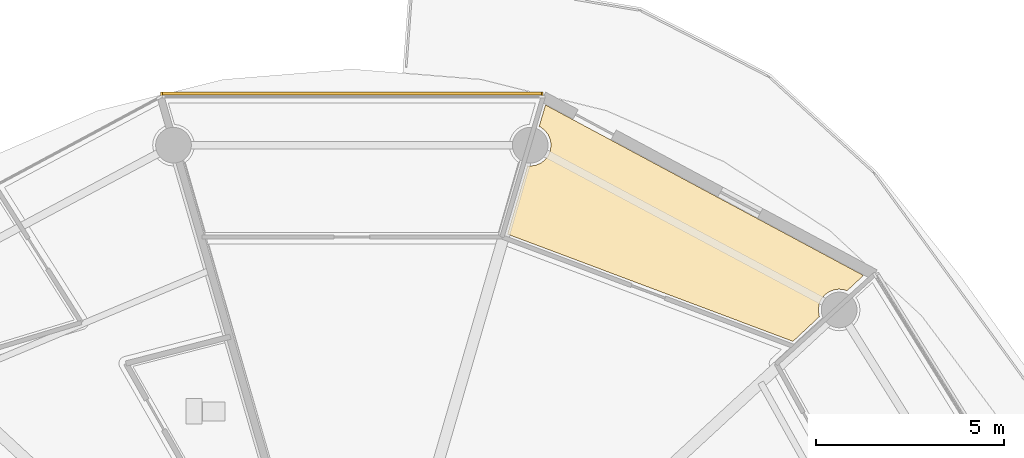
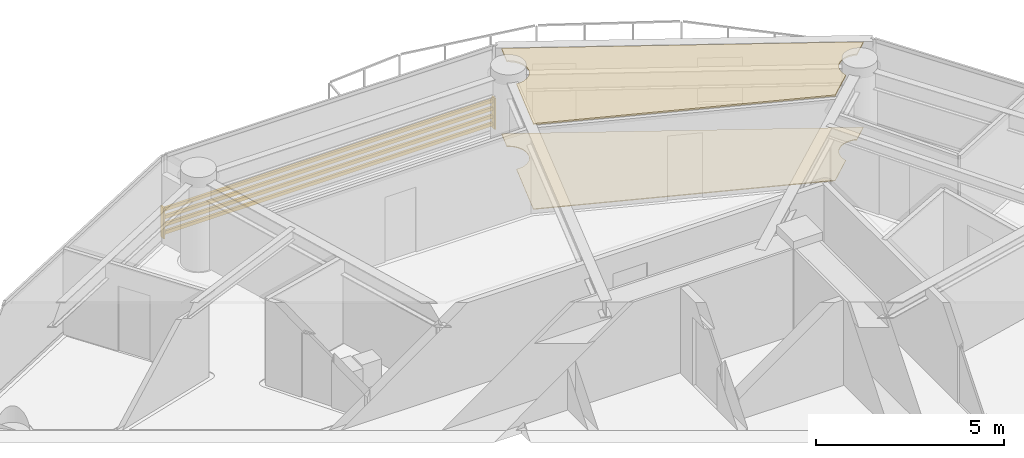
# One storey, part 30 of 31: 2 coverings, 1 shading device.
"""IFC4 building model written with IfcOpenShell, lengths in metres."""

import ifcopenshell
import ifcopenshell.guid

model = None  # the IFC model being written
_history = None  # IfcOwnerHistory: only IFC2X3 demands one
_inside = {}  # id of a spatial element -> (the spatial element, [elements in it])
_under = {}  # id of a project, library or spatial element -> (it, [spatial elements below it])
_declared = {}  # id of a project -> (the project, [libraries it declares])
_typed = {}  # id of a type object -> (the type object, [elements of that type])
_made_of = {}  # id of a material, layer set ... -> (it, [elements and type objects made of it])


def new_model(schema):
    """Start an empty IFC model of exactly this schema.

    Asked for "IFC4X3", IfcOpenShell would pick the latest addendum, in which some entities
    have other attributes; the version numbers below select the first issue.
    IFC2X3 requires an IfcOwnerHistory on every rooted entity: one is made here for all.
    """
    global model, _history
    if schema == "IFC4X3":
        model = ifcopenshell.file(schema_version=(4, 3, 0, 0))
    else:
        model = ifcopenshell.file(schema=schema)
    _inside.clear()
    _under.clear()
    _declared.clear()
    _typed.clear()
    _made_of.clear()
    _history = None
    if model.schema == "IFC2X3":
        org = make("IfcOrganization", Name="unknown")
        user = make(
            "IfcPersonAndOrganization",
            ThePerson=make("IfcPerson", FamilyName="unknown"),
            TheOrganization=org,
        )
        app = make(
            "IfcApplication",
            ApplicationDeveloper=org,
            Version="unknown",
            ApplicationFullName="unknown",
            ApplicationIdentifier="unknown",
        )
        _history = make(
            "IfcOwnerHistory",
            OwningUser=user,
            OwningApplication=app,
            ChangeAction="ADDED",
            CreationDate=0,
        )
    return model


def make(cls, **values):
    """One entity of the class cls with the attributes given. An attribute that is None is left unset."""
    return model.create_entity(
        cls, **{name: value for name, value in values.items() if value is not None}
    )


def rooted(cls, **values):
    """An entity with a GlobalId (a new one), such as an element, a storey or a relation."""
    return make(cls, GlobalId=ifcopenshell.guid.new(), OwnerHistory=_history, **values)


def si_unit(unit_type, name, prefix=None):
    """IfcSIUnit, for example si_unit("LENGTHUNIT", "METRE", prefix="MILLI")."""
    return make("IfcSIUnit", UnitType=unit_type, Prefix=prefix, Name=name)


def assignment(units):
    """IfcUnitAssignment: the units of a project."""
    return None if units is None else make("IfcUnitAssignment", Units=units)


def point(xyz):
    """IfcCartesianPoint."""
    return None if xyz is None else make("IfcCartesianPoint", Coordinates=xyz)


def direction(xyz):
    """IfcDirection."""
    return None if xyz is None else make("IfcDirection", DirectionRatios=xyz)


def frame(location, z_axis=None, x_axis=None):
    """IfcAxis2Placement3D, a coordinate frame: its origin and axes. An axis left out is left unset."""
    return make(
        "IfcAxis2Placement3D",
        Location=point(location),
        Axis=direction(z_axis),
        RefDirection=direction(x_axis),
    )


def frame_2d(location, x_axis=None):
    """IfcAxis2Placement2D, a coordinate frame in the plane: its origin and x axis."""
    return make(
        "IfcAxis2Placement2D", Location=point(location), RefDirection=direction(x_axis)
    )


def origin():
    """The frame at (0, 0, 0) with its axes left unset."""
    return frame((0.0, 0.0, 0.0))


def origin_2d():
    """The frame at (0, 0) in the plane with its x axis left unset."""
    return frame_2d((0.0, 0.0))


def place(relative_to, where):
    """IfcLocalPlacement: puts the frame where relative to a parent placement (None: the world)."""
    return make(
        "IfcLocalPlacement", PlacementRelTo=relative_to, RelativePlacement=where
    )


def context(
    kind, dimensions, precision=None, world=None, true_north=None, identifier=None
):
    """IfcGeometricRepresentationContext, for example the 3D "Model" context."""
    return make(
        "IfcGeometricRepresentationContext",
        ContextIdentifier=identifier,
        ContextType=kind,
        CoordinateSpaceDimension=dimensions,
        Precision=precision,
        WorldCoordinateSystem=world,
        TrueNorth=true_north,
    )


def subcontext(parent, identifier, kind, view, scale=None):
    """IfcGeometricRepresentationSubContext, for example "Body" below "Model"."""
    return make(
        "IfcGeometricRepresentationSubContext",
        ContextIdentifier=identifier,
        ContextType=kind,
        ParentContext=parent,
        TargetScale=scale,
        TargetView=view,
    )


def project(units=None, contexts=None):
    """IfcProject with its units and contexts."""
    return rooted(
        "IfcProject",
        Name="project",
        RepresentationContexts=contexts,
        UnitsInContext=assignment(units),
    )


def spatial(cls, under=None, at=None, **own):
    """A site, building, storey or space (cls), placed at a placement, below another one or the project."""
    s = rooted(cls, ObjectPlacement=at, **own)
    if under is not None:
        _under.setdefault(under.id(), (under, []))[1].append(s)
    return s


def polyline(points):
    """IfcPolyline through the points."""
    return make("IfcPolyline", Points=[point(p) for p in points])


def profile(cls, at=None, kind="AREA", **sizes):
    """A parametric profile (cls). Its sizes go by their IFC names, for example OverallWidth=200.0."""
    return make(cls, ProfileType=kind, Position=at, **sizes)


def rectangle(**sizes):
    """IfcRectangleProfileDef."""
    return profile("IfcRectangleProfileDef", **sizes)


def outline(outer, holes=None, kind="AREA"):
    """IfcArbitraryClosedProfileDef: a profile drawn as a closed curve; with holes, ...WithVoids."""
    if holes is None:
        return make("IfcArbitraryClosedProfileDef", ProfileType=kind, OuterCurve=outer)
    return make(
        "IfcArbitraryProfileDefWithVoids",
        ProfileType=kind,
        OuterCurve=outer,
        InnerCurves=holes,
    )


def extrude(swept, where, along, depth):
    """IfcExtrudedAreaSolid: the profile swept, set in the frame where, extruded along a direction by depth."""
    return make(
        "IfcExtrudedAreaSolid",
        SweptArea=swept,
        Position=where,
        ExtrudedDirection=direction(along),
        Depth=depth,
    )


def shape(context_of_items, identifier, shape_type, items):
    """IfcShapeRepresentation: the items that make up one representation, for example the "Body"."""
    return make(
        "IfcShapeRepresentation",
        ContextOfItems=context_of_items,
        RepresentationIdentifier=identifier,
        RepresentationType=shape_type,
        Items=items,
    )


def source(mapping_origin, context_of_items, identifier, shape_type, items):
    """IfcRepresentationMap: a shape defined once, which mapped items show again and again."""
    return make(
        "IfcRepresentationMap",
        MappingOrigin=mapping_origin,
        MappedRepresentation=shape(context_of_items, identifier, shape_type, items),
    )


def transform(
    local_origin,
    x_axis=None,
    y_axis=None,
    z_axis=None,
    scale=None,
    scale2=None,
    scale3=None,
    uniform=True,
):
    """IfcCartesianTransformationOperator3D, or its non-uniform kind. x_axis, y_axis, z_axis: its Axis1, 2, 3."""
    if uniform:
        return make(
            "IfcCartesianTransformationOperator3D",
            Axis1=direction(x_axis),
            Axis2=direction(y_axis),
            LocalOrigin=point(local_origin),
            Scale=scale,
            Axis3=direction(z_axis),
        )
    return make(
        "IfcCartesianTransformationOperator3DnonUniform",
        Axis1=direction(x_axis),
        Axis2=direction(y_axis),
        LocalOrigin=point(local_origin),
        Scale=scale,
        Axis3=direction(z_axis),
        Scale2=scale2,
        Scale3=scale3,
    )


def mapped(mapping_source, mapping_target):
    """IfcMappedItem: shows the shape of a source again, moved by a transform."""
    return make(
        "IfcMappedItem", MappingSource=mapping_source, MappingTarget=mapping_target
    )


def material(Name=None, Category=None):
    """IfcMaterial."""
    return make("IfcMaterial", Name=Name, Category=Category)


def layer(
    of_material, thickness, ventilated=None, Name=None, Category=None, Priority=None
):
    """IfcMaterialLayer: one layer of a wall or slab, of a material (None: an air gap)."""
    return make(
        "IfcMaterialLayer",
        Material=of_material,
        LayerThickness=thickness,
        IsVentilated=ventilated,
        Name=Name,
        Category=Category,
        Priority=Priority,
    )


def layer_set(layers, Name=None):
    """IfcMaterialLayerSet."""
    return make("IfcMaterialLayerSet", MaterialLayers=layers, LayerSetName=Name)


def made_of(thing, what):
    """Note that an element or type object is made of a material, layer set ...; save() writes the relation."""
    if what is not None:
        _made_of.setdefault(what.id(), (what, []))[1].append(thing)
    return thing


def type_object(cls, material=None, **own):
    """A type object (cls), such as IfcWallType, which elements share."""
    return made_of(rooted(cls, **own), material)


def type_shapes(of_type, sources):
    """Give a type object the sources (RepresentationMaps) that its elements show as mapped items."""
    of_type.RepresentationMaps = sources


def element(
    cls,
    number,
    at=None,
    inside=None,
    cuts=None,
    type_object=None,
    material=None,
    context=None,
    identifier="Body",
    shape_type=None,
    held_by="IfcProductDefinitionShape",
    body=None,
    shapes=None,
    **own,
):
    """One element of the class cls, such as IfcWall. Its Tag is "e" and its number.

    at: its placement. inside: the storey or other place that contains it. cuts: it is an
    opening in that element (IfcRelVoidsElement). A single representation is given by context,
    identifier, shape_type and body (its items); several are given by shapes. held_by: the class
    of the entity that holds the representations. save() writes the other relations.
    """
    e = rooted(cls, Tag="e%d" % number, ObjectPlacement=at, **own)
    if body is not None:
        shapes = [shape(context, identifier, shape_type, body)]
    if shapes is not None:
        e.Representation = make(held_by, Representations=shapes)
    if inside is not None:
        _inside.setdefault(inside.id(), (inside, []))[1].append(e)
    if cuts is not None:
        rooted(
            "IfcRelVoidsElement", RelatingBuildingElement=cuts, RelatedOpeningElement=e
        )
    if type_object is not None:
        _typed.setdefault(type_object.id(), (type_object, []))[1].append(e)
    return made_of(e, material)


def aggregate(whole, parts):
    """IfcRelAggregates: a whole, such as a stair, and the parts it consists of."""
    return rooted("IfcRelAggregates", RelatingObject=whole, RelatedObjects=parts)


def save(model, path):
    """Write the relations noted so far, then the file.

    IfcRelAggregates (storeys below a building ...), IfcRelContainedInSpatialStructure (elements
    in a storey), IfcRelDefinesByType, IfcRelAssociatesMaterial and IfcRelDeclares: one each for
    every whole, place, type object, material and project.
    """
    for whole, parts in _under.values():
        aggregate(whole, parts)
    for where, things in _inside.values():
        rooted(
            "IfcRelContainedInSpatialStructure",
            RelatedElements=things,
            RelatingStructure=where,
        )
    for kind, things in _typed.values():
        rooted("IfcRelDefinesByType", RelatedObjects=things, RelatingType=kind)
    for what, things in _made_of.values():
        rooted("IfcRelAssociatesMaterial", RelatedObjects=things, RelatingMaterial=what)
    for by, libraries in _declared.values():
        rooted("IfcRelDeclares", RelatingContext=by, RelatedDefinitions=libraries)
    model.write(path)


model = new_model("IFC4")

# Units and contexts
model_context = context("Model", 3, precision=1e-05, world=origin(), true_north=direction((0.0, 1.0)))
body_context = subcontext(model_context, "Body", "Model", "MODEL_VIEW")
ifc_project = project(units=[si_unit("LENGTHUNIT", "METRE"), si_unit("AREAUNIT", "SQUARE_METRE"), si_unit("VOLUMEUNIT", "CUBIC_METRE"), si_unit("PLANEANGLEUNIT", "RADIAN"), si_unit("MASSUNIT", "GRAM", prefix="KILO")], contexts=[model_context])

# Site, building, storey
site_placement = place(None, origin())
site = spatial("IfcSite", under=ifc_project, at=site_placement, CompositionType="ELEMENT")
building_placement = place(site_placement, origin())
building = spatial("IfcBuilding", under=site, at=building_placement, Name="Norrkilde Senior Care Towers", CompositionType="ELEMENT")
storey_placement = place(building_placement, frame((0.0, 0.0, 42.949951171875)))
storey = spatial("IfcBuildingStorey", under=building, at=storey_placement, Name="L12", CompositionType="ELEMENT", Elevation=42.949951171875)

# Coverings
ifc_material_1 = material(Name="Nordic Ash Timber", Category="wood")
ifc_layer_1 = layer(ifc_material_1, 0.044921875)
ifc_layer_set_1 = layer_set([ifc_layer_1], Name="Nordic Ash Timber")
covering_type_1 = type_object("IfcCoveringType", Name="Acoustic Ash Timber Slatted Ceiling 45", PredefinedType="CEILING", material=ifc_layer_set_1)
covering_1_placement = place(storey_placement, frame((0.0, 0.0, 2.7451171875)))
element("IfcCovering", 1, at=covering_1_placement, inside=storey, type_object=covering_type_1, Name="L12 Suspended Ceiling 0207", PredefinedType="CEILING", context=body_context, shape_type="SweptSolid", body=[
    extrude(outline(polyline([(41.183349609375, 12.494873046875), (41.119140625, 12.521484375), (40.975341796875, 12.54052734375), (40.831787109375, 12.521484375), (40.697998046875, 12.466064453125), (40.5830078125, 12.3779296875), (40.494873046875, 12.262939453125), (40.439208984375, 12.129150390625), (40.42041015625, 11.9853515625), (40.439208984375, 11.841796875), (40.4521484375, 11.810791015625), (39.744873046875, 11.1494140625), (32.143798828125, 14.00341796875), (32.679931640625, 15.82666015625), (32.749267578125, 15.8173828125), (32.89306640625, 15.83642578125), (33.02685546875, 15.891845703125), (33.141845703125, 15.97998046875), (33.22998046875, 16.094970703125), (33.285400390625, 16.228759765625), (33.304443359375, 16.37255859375), (33.285400390625, 16.51611328125), (33.22998046875, 16.64990234375), (33.141845703125, 16.764892578125), (33.02685546875, 16.85302734375), (32.986572265625, 16.86962890625), (33.1552734375, 17.443603515625), (41.62109375, 12.904296875), (41.183349609375, 12.494873046875)])), origin(), (0.0, 0.0, 1.0), 0.044921875),
])
ifc_material_2 = material(Name="Slip-Resistant Porcelain Stone", Category="masonry")
ifc_layer_2 = layer(ifc_material_2, 0.02490234375)
ifc_layer_set_2 = layer_set([ifc_layer_2], Name="Slip-Resistant Porcelain Stone")
covering_type_2 = type_object("IfcCoveringType", Name="Slip-Resistant Porcelain Flooring 25", PredefinedType="FLOORING", material=ifc_layer_set_2)
covering_2_placement = place(storey_placement, origin())
element("IfcCovering", 2, at=covering_2_placement, inside=storey, type_object=covering_type_2, Name="L12 Floor Finish 0207", PredefinedType="FLOORING", context=body_context, shape_type="SweptSolid", body=[
    extrude(outline(polyline([(41.183349609375, 12.494873046875), (41.119140625, 12.521484375), (40.975341796875, 12.54052734375), (40.831787109375, 12.521484375), (40.697998046875, 12.466064453125), (40.5830078125, 12.3779296875), (40.494873046875, 12.262939453125), (40.439208984375, 12.129150390625), (40.42041015625, 11.9853515625), (40.439208984375, 11.841796875), (40.4521484375, 11.810791015625), (39.744873046875, 11.1494140625), (32.143798828125, 14.00341796875), (32.679931640625, 15.82666015625), (32.749267578125, 15.8173828125), (32.89306640625, 15.83642578125), (33.02685546875, 15.891845703125), (33.141845703125, 15.97998046875), (33.22998046875, 16.094970703125), (33.285400390625, 16.228759765625), (33.304443359375, 16.37255859375), (33.285400390625, 16.51611328125), (33.22998046875, 16.64990234375), (33.141845703125, 16.764892578125), (33.02685546875, 16.85302734375), (32.986572265625, 16.86962890625), (33.1552734375, 17.443603515625), (41.62109375, 12.904296875), (41.183349609375, 12.494873046875)])), origin(), (0.0, 0.0, 1.0), 0.025146484375),
])

# Shading device
ifc_material_3 = material(Name="Architectural Terracotta", Category="masonry")
shading_device_type = type_object("IfcShadingDeviceType", Name="Horizontal Terracotta Baguette Rack", PredefinedType="USERDEFINED", material=ifc_material_3)
shared_shape = source(origin(), body_context, "Body", "SweptSolid", [
    extrude(rectangle(XDim=0.070068359375, YDim=0.110107421875, at=origin_2d()), frame((0.0, 0.090087890625, 0.125), z_axis=(1.0, 0.0, 0.0), x_axis=(0.0, 1.0, 0.0)), (0.0, 0.0, 1.0), 10.18701171875),
    extrude(rectangle(XDim=0.070068359375, YDim=0.110107421875, at=origin_2d()), frame((0.0, 0.090087890625, 0.375), z_axis=(1.0, 0.0, 0.0), x_axis=(0.0, 1.0, 0.0)), (0.0, 0.0, 1.0), 10.18701171875),
    extrude(rectangle(XDim=0.070068359375, YDim=0.110107421875, at=origin_2d()), frame((0.0, 0.090087890625, 0.625), z_axis=(1.0, 0.0, 0.0), x_axis=(0.0, 1.0, 0.0)), (0.0, 0.0, 1.0), 10.18701171875),
    extrude(rectangle(XDim=0.070068359375, YDim=0.110107421875, at=origin_2d()), frame((0.0, 0.090087890625, 0.875), z_axis=(1.0, 0.0, 0.0), x_axis=(0.0, 1.0, 0.0)), (0.0, 0.0, 1.0), 10.18701171875),
    extrude(rectangle(XDim=0.050048828125, YDim=0.1552734375, at=origin_2d()), frame((0.02490234375, 0.047607421875, 0.0)), (0.0, 0.0, 1.0), 1.0),
    extrude(rectangle(XDim=0.050048828125, YDim=0.1552734375, at=origin_2d()), frame((10.162109375, 0.047607421875, 0.0)), (0.0, 0.0, 1.0), 1.0),
])
type_shapes(shading_device_type, [shared_shape])
shading_device_placement = place(storey_placement, frame((22.906494140625, 17.6572265625, 0.080078125), z_axis=(0.0, 0.0, 1.0), x_axis=(1.0, 0.0, 0.0)))
element("IfcShadingDevice", 3, at=shading_device_placement, inside=storey, type_object=shading_device_type, Name="L12 Drum E Terracotta Baguette Screen 02", ObjectType="BAGUETTE", PredefinedType="USERDEFINED", context=body_context, shape_type="MappedRepresentation", body=[
    mapped(shared_shape, transform((0.0, 0.0, 0.0), x_axis=(1.0, 0.0, 0.0), y_axis=(0.0, 1.0, 0.0), z_axis=(0.0, 0.0, 1.0), scale=1.0)),
])

save(model, "model.ifc")
